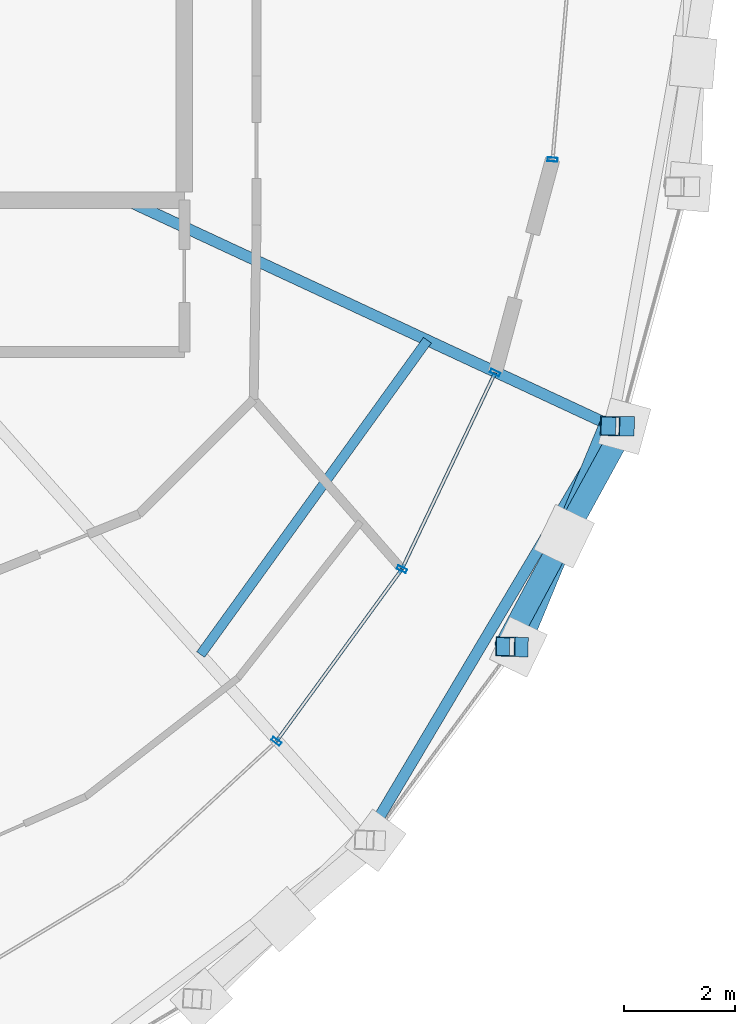
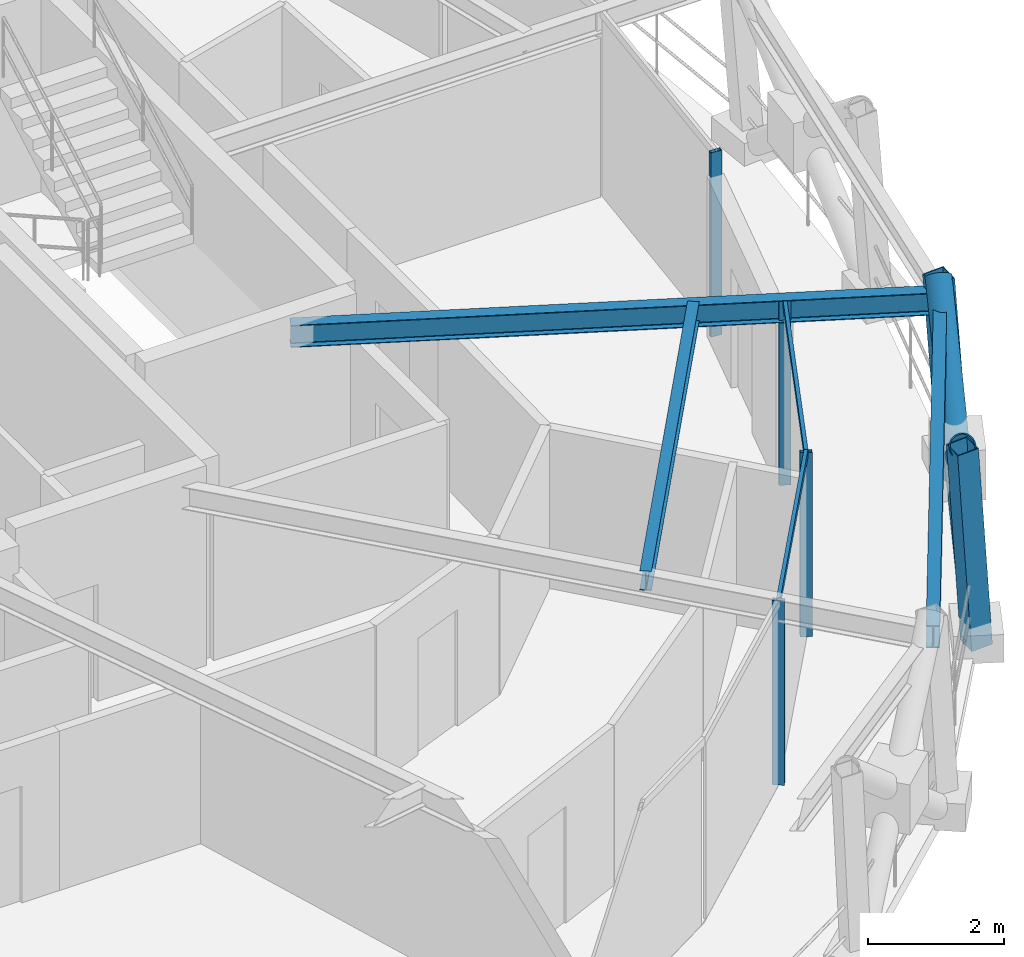
# One storey, part 4 of 16: 11 members, 3 beams, 2 elements without a shape of their own.
"""IFC4 building model written with IfcOpenShell, lengths in metres."""

from ifc_helpers import new_model, si_unit, direction, frame, origin, origin_2d, place, context, subcontext, project, spatial, hollow_rectangle, hollow_circle, i_section, extrude, material, layer, layer_set, material_profile, profile_set, type_object, element, aggregate, save


model = new_model("IFC4")

# Units and contexts
model_context = context("Model", 3, precision=1e-05, world=origin(), true_north=direction((0.0, 1.0)))
body_context = subcontext(model_context, "Body", "Model", "MODEL_VIEW")
ifc_project = project(units=[si_unit("LENGTHUNIT", "METRE"), si_unit("AREAUNIT", "SQUARE_METRE"), si_unit("VOLUMEUNIT", "CUBIC_METRE"), si_unit("PLANEANGLEUNIT", "RADIAN"), si_unit("MASSUNIT", "GRAM", prefix="KILO")], contexts=[model_context])

# Site, building, storey
site_placement = place(None, origin())
site = spatial("IfcSite", under=ifc_project, at=site_placement, CompositionType="ELEMENT")
building_placement = place(site_placement, origin())
building = spatial("IfcBuilding", under=site, at=building_placement, Name="Veldorina Hangang Commons", CompositionType="ELEMENT")
storey_placement = place(building_placement, frame((0.0, 0.0, 279.60009765625)))
storey = spatial("IfcBuildingStorey", under=building, at=storey_placement, Name="L73", CompositionType="ELEMENT", Elevation=279.60009765625)

# Beams
ifc_material_1 = material(Name="Steel SM355-TMC", Category="steel")
ifc_material_profile_1 = material_profile(ifc_material_1, i_section(OverallWidth=0.199951171875, OverallDepth=0.39990234375, WebThickness=0.008056640625, FlangeThickness=0.012939453125, FilletRadius=0.012939453125, at=origin_2d()), Name="H-400x200x8x13")
ifc_profile_set_1 = profile_set([ifc_material_profile_1], Name="Steel SM355-TMC")
beam_type_1 = type_object("IfcBeamType", Name="BM-FG400", PredefinedType="BEAM", material=ifc_profile_set_1)
beam_1_placement = place(storey_placement, frame((42.14111328125, 19.280029296875, 3.159912109375), z_axis=(0.906603136981, -0.421984303046, 0.0), x_axis=(0.421984303046, 0.906603136981, 0.0)))
element("IfcBeam", 1, at=beam_1_placement, inside=storey, type_object=beam_type_1, Name="L73 radial floor girder 16", PredefinedType="BEAM", context=body_context, shape_type="SweptSolid", body=[
    extrude(i_section(OverallWidth=0.199951171875, OverallDepth=0.39990234375, WebThickness=0.008056640625, FlangeThickness=0.012939453125, FilletRadius=0.012939453125, at=origin_2d()), origin(), (0.0, 0.0, 1.0), 9.627685546875),
])
ifc_material_profile_2 = material_profile(ifc_material_1, i_section(OverallWidth=0.175048828125, OverallDepth=0.35009765625, WebThickness=0.007080078125, FlangeThickness=0.010986328125, FilletRadius=0.012939453125, at=origin_2d()), Name="H-350x175x7x11")
ifc_profile_set_2 = profile_set([ifc_material_profile_2], Name="Steel SM355-TMC")
beam_type_2 = type_object("IfcBeamType", Name="BM-JST350", PredefinedType="JOIST", material=ifc_profile_set_2)
beam_2_placement = place(storey_placement, frame((43.4736328125, 11.107666015625, 3.184814453125), z_axis=(0.585110741482, 0.810953401992, 0.0), x_axis=(-0.810953401992, 0.585110741482, 0.0)))
element("IfcBeam", 2, at=beam_2_placement, inside=storey, type_object=beam_type_2, Name="L73 secondary floor joist 15", PredefinedType="JOIST", context=body_context, shape_type="SweptSolid", body=[
    extrude(i_section(OverallWidth=0.175048828125, OverallDepth=0.35009765625, WebThickness=0.007080078125, FlangeThickness=0.010986328125, FilletRadius=0.012939453125, at=origin_2d()), origin(), (0.0, 0.0, 1.0), 6.971435546875),
])
ifc_material_profile_3 = material_profile(ifc_material_1, i_section(OverallWidth=0.199951171875, OverallDepth=0.39990234375, WebThickness=0.008056640625, FlangeThickness=0.012939453125, FilletRadius=0.012939453125, at=origin_2d()), Name="H-400x200x8x13")
ifc_profile_set_3 = profile_set([ifc_material_profile_3], Name="Steel SM355-TMC")
beam_type_3 = type_object("IfcBeamType", Name="BM-RB400", PredefinedType="BEAM", material=ifc_profile_set_3)
beam_3_placement = place(storey_placement, frame((46.442138671875, 7.77197265625, 3.159912109375), z_axis=(0.511122102298, 0.859508113134, 0.0), x_axis=(-0.859508113134, 0.511122102298, 0.0)))
element("IfcBeam", 3, at=beam_3_placement, inside=storey, type_object=beam_type_3, Name="L73 perimeter hoop ring beam 28", PredefinedType="BEAM", context=body_context, shape_type="SweptSolid", body=[
    extrude(i_section(OverallWidth=0.199951171875, OverallDepth=0.39990234375, WebThickness=0.008056640625, FlangeThickness=0.012939453125, FilletRadius=0.012939453125, at=origin_2d()), origin(), (0.0, 0.0, 1.0), 8.662353515625),
])

# Curtain wall, members
ifc_material_2 = material(Name="Glass Low-E Selective", Category="glass")
ifc_layer = layer(ifc_material_2, 0.179931640625)
ifc_layer_set = layer_set([ifc_layer], Name="Glass Low-E Selective")
curtain_wall_type = type_object("IfcCurtainWallType", Name="CW-SYS-Z3", PredefinedType="NOTDEFINED", material=ifc_layer_set)
curtain_wall_1_placement = place(storey_placement, origin())
curtain_wall_1 = element("IfcCurtainWall", 4, at=curtain_wall_1_placement, inside=storey, type_object=curtain_wall_type, Name="L73 unitised curtain wall CW-L73-R1", PredefinedType="NOTDEFINED")
ifc_material_3 = material(Name="Aluminium Anodized AA6063-T6", Category="aluminium")
ifc_material_profile_4 = material_profile(ifc_material_3, hollow_rectangle(XDim=0.070068359375, YDim=0.179931640625, WallThickness=0.00390625, at=origin_2d()), Name="ALU-RHS-180x70x4")
ifc_profile_set_4 = profile_set([ifc_material_profile_4], Name="Aluminium Anodized AA6063-T6")
member_type_1 = type_object("IfcMemberType", Name="CW-MUL-180", PredefinedType="MULLION", material=ifc_profile_set_4)
member_1_placement = place(storey_placement, frame((44.8359375, 9.54638671875, 0.0), z_axis=(0.0, 0.0, 1.0), x_axis=(0.588984805907, 0.808144107453, 0.0)))
member_1 = element("IfcMember", 5, at=member_1_placement, type_object=member_type_1, Name="CW-L73-R1 vertical mullion 2", PredefinedType="MULLION", context=body_context, shape_type="SweptSolid", body=[
    extrude(hollow_rectangle(XDim=0.070068359375, YDim=0.179931640625, WallThickness=0.00390625, at=origin_2d()), origin(), (0.0, 0.0, 1.0), 3.31982421875),
])
member_2_placement = place(storey_placement, frame((47.093505859375, 12.643798828125, 0.0), z_axis=(0.0, 0.0, 1.0), x_axis=(0.428824766976, 0.903387690434, 0.0)))
member_2 = element("IfcMember", 6, at=member_2_placement, type_object=member_type_1, Name="CW-L73-R1 vertical mullion 3", PredefinedType="MULLION", context=body_context, shape_type="SweptSolid", body=[
    extrude(hollow_rectangle(XDim=0.070068359375, YDim=0.179931640625, WallThickness=0.00390625, at=origin_2d()), origin(), (0.0, 0.0, 1.0), 3.31982421875),
])
member_3_placement = place(storey_placement, frame((48.77099609375, 16.177734375, 0.0), z_axis=(0.0, 0.0, 1.0), x_axis=(-0.428824766976, -0.903387690434, 0.0)))
member_3 = element("IfcMember", 7, at=member_3_placement, type_object=member_type_1, Name="CW-L73-R1 vertical mullion 4", PredefinedType="MULLION", context=body_context, shape_type="SweptSolid", body=[
    extrude(hollow_rectangle(XDim=0.070068359375, YDim=0.179931640625, WallThickness=0.00390625, at=origin_2d()), origin(), (0.0, 0.0, 1.0), 3.31982421875),
])

# Curtain wall, member
curtain_wall_2_placement = place(storey_placement, origin())
curtain_wall_2 = element("IfcCurtainWall", 8, at=curtain_wall_2_placement, inside=storey, type_object=curtain_wall_type, Name="L73 unitised curtain wall CW-L73-R2", PredefinedType="NOTDEFINED")
member_4_placement = place(storey_placement, frame((49.803955078125, 20.01220703125, 0.0), z_axis=(0.0, 0.0, 1.0), x_axis=(0.087138355857, 0.996196219095, 0.0)))
member_4 = element("IfcMember", 9, at=member_4_placement, type_object=member_type_1, Name="CW-L73-R2 vertical mullion 1", PredefinedType="MULLION", context=body_context, shape_type="SweptSolid", body=[
    extrude(hollow_rectangle(XDim=0.070068359375, YDim=0.179931640625, WallThickness=0.00390625, at=origin_2d()), origin(), (0.0, 0.0, 1.0), 3.31982421875),
])
aggregate(curtain_wall_2, [member_4])

# Member
ifc_material_profile_5 = material_profile(ifc_material_3, hollow_rectangle(XDim=0.06005859375, YDim=0.139892578125, WallThickness=0.00341796875, at=origin_2d()), Name="ALU-RHS-140x60x3.5")
ifc_profile_set_5 = profile_set([ifc_material_profile_5], Name="Aluminium Anodized AA6063-T6")
member_type_2 = type_object("IfcMemberType", Name="CW-TRN-140", PredefinedType="USERDEFINED", material=ifc_profile_set_5)
member_5_placement = place(storey_placement, frame((44.8359375, 9.54638671875, 3.27978515625), z_axis=(0.589008398856, 0.80812691211, 0.0), x_axis=(-0.80812691211, 0.589008398856, 0.0)))
member_5 = element("IfcMember", 10, at=member_5_placement, type_object=member_type_2, Name="CW-L73-R1 facet 3 transom 1", ObjectType="TRANSOM", PredefinedType="USERDEFINED", context=body_context, shape_type="SweptSolid", body=[
    extrude(hollow_rectangle(XDim=0.06005859375, YDim=0.139892578125, WallThickness=0.00341796875, at=origin_2d()), origin(), (0.0, 0.0, 1.0), 3.832763671875),
])

member_6_placement = place(storey_placement, frame((47.093505859375, 12.643798828125, 3.27978515625), z_axis=(0.428821289354, 0.903389341202, 0.0), x_axis=(-0.903389341202, 0.428821289354, 0.0)))
member_6 = element("IfcMember", 11, at=member_6_placement, type_object=member_type_2, Name="CW-L73-R1 facet 4 transom 1", ObjectType="TRANSOM", PredefinedType="USERDEFINED", context=body_context, shape_type="SweptSolid", body=[
    extrude(hollow_rectangle(XDim=0.06005859375, YDim=0.139892578125, WallThickness=0.00341796875, at=origin_2d()), origin(), (0.0, 0.0, 1.0), 3.911865234375),
])

aggregate(curtain_wall_1, [member_1, member_2, member_3, member_5, member_6])

# Members
ifc_material_profile_6 = material_profile(ifc_material_1, hollow_circle(Radius=0.199951171875, WallThickness=0.02001953125, at=origin_2d()), Name="CHS-400x20")
ifc_profile_set_6 = profile_set([ifc_material_profile_6], Name="Steel SM355-TMC")
member_type_3 = type_object("IfcMemberType", Name="DG-CHS400", PredefinedType="BRACE", material=ifc_profile_set_6)
member_7_placement = place(storey_placement, frame((49.188720703125, 11.243896484375, 0.0), z_axis=(0.293928779086, 0.708405784122, 0.641690827305), x_axis=(-0.923650031983, 0.383237026417, 0.0)))
element("IfcMember", 12, at=member_7_placement, inside=storey, type_object=member_type_3, Name="L73 continuous perimeter diagrid brace 29", PredefinedType="BRACE", context=body_context, shape_type="SweptSolid", body=[
    extrude(hollow_circle(Radius=0.199951171875, WallThickness=0.02001953125, at=origin_2d()), origin(), (0.0, 0.0, 1.0), 5.60986328125),
])
member_8_placement = place(storey_placement, frame((51.09912109375, 15.21337890625, 0.0), z_axis=(-0.375517321924, -0.68527896605, 0.624002788154), x_axis=(0.876963876119, -0.480556302614, 0.0)))
element("IfcMember", 13, at=member_8_placement, inside=storey, type_object=member_type_3, Name="L73 split perimeter diagrid lower brace 30", PredefinedType="BRACE", context=body_context, shape_type="SweptSolid", body=[
    extrude(hollow_circle(Radius=0.199951171875, WallThickness=0.02001953125, at=origin_2d()), origin(), (0.0, 0.0, 1.0), 2.888671875),
])
member_9_placement = place(storey_placement, frame((50.014404296875, 13.23388671875, 1.802490234375), z_axis=(-0.368508747136, -0.688855283417, 0.624243303362), x_axis=(0.881757346375, -0.471703277615, 0.0)))
element("IfcMember", 14, at=member_9_placement, inside=storey, type_object=member_type_3, Name="L73 split perimeter diagrid upper brace 30", PredefinedType="BRACE", context=body_context, shape_type="SweptSolid", body=[
    extrude(hollow_circle(Radius=0.199951171875, WallThickness=0.02001953125, at=origin_2d()), origin(), (0.0, 0.0, 1.0), 2.879150390625),
])
ifc_material_profile_7 = material_profile(ifc_material_1, hollow_rectangle(XDim=0.35009765625, YDim=0.35009765625, WallThickness=0.01611328125, at=origin_2d()), Name="SHS-350x350x16")
ifc_profile_set_7 = profile_set([ifc_material_profile_7], Name="Steel SM355-TMC")
member_type_4 = type_object("IfcMemberType", Name="STR-SHS350", PredefinedType="STRUT", material=ifc_profile_set_7)
member_10_placement = place(storey_placement, frame((49.188720703125, 11.243896484375, 0.0), z_axis=(-0.065238709046, 0.001827225253, 0.997868013361), x_axis=(-0.027997319452, -0.999607998219, 0.0)))
element("IfcMember", 15, at=member_10_placement, inside=storey, type_object=member_type_4, Name="L73 perimeter ring node post 29", PredefinedType="STRUT", context=body_context, shape_type="SweptSolid", body=[
    extrude(hollow_rectangle(XDim=0.35009765625, YDim=0.35009765625, WallThickness=0.01611328125, at=origin_2d()), origin(), (0.0, 0.0, 1.0), 3.607666015625),
])
member_11_placement = place(storey_placement, frame((51.09912109375, 15.21337890625, 0.0), z_axis=(-0.072443882672, 0.001285185594, 0.997371662), x_axis=(-0.017737638505, -0.999842675715, 0.0)))
element("IfcMember", 16, at=member_11_placement, inside=storey, type_object=member_type_4, Name="L73 perimeter ring node post 30", PredefinedType="STRUT", context=body_context, shape_type="SweptSolid", body=[
    extrude(hollow_rectangle(XDim=0.35009765625, YDim=0.35009765625, WallThickness=0.01611328125, at=origin_2d()), origin(), (0.0, 0.0, 1.0), 3.609375),
])

save(model, "model.ifc")
